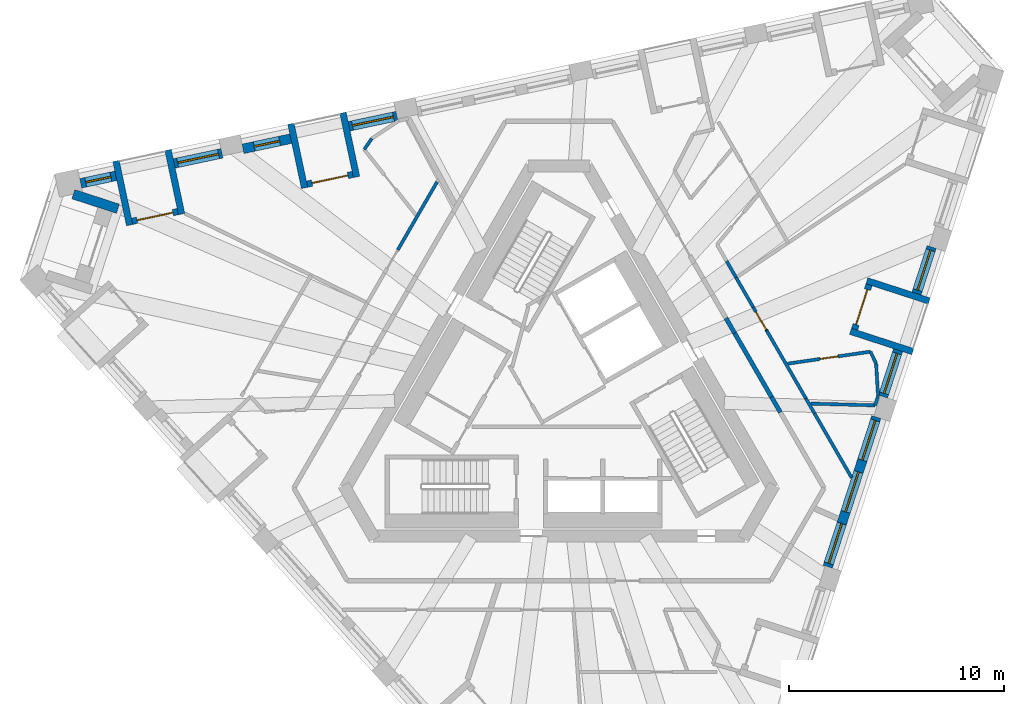
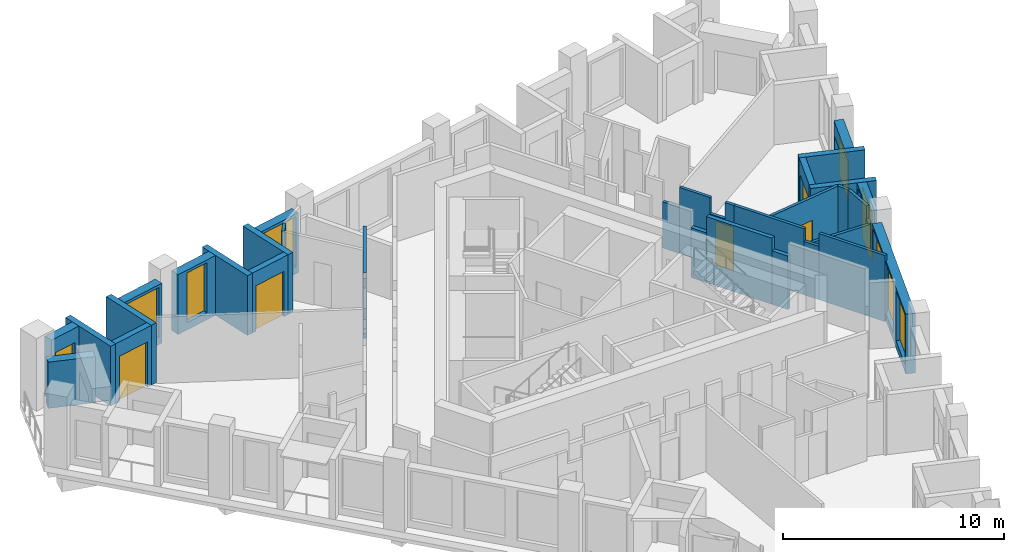
# One storey, part 6 of 12: 33 walls, 9 windows, 5 doors, 14 openings.
"""IFC4 building model written with IfcOpenShell, lengths in metres."""

import ifcopenshell
import ifcopenshell.guid

model = None  # the IFC model being written
_history = None  # IfcOwnerHistory: only IFC2X3 demands one
_inside = {}  # id of a spatial element -> (the spatial element, [elements in it])
_under = {}  # id of a project, library or spatial element -> (it, [spatial elements below it])
_declared = {}  # id of a project -> (the project, [libraries it declares])
_typed = {}  # id of a type object -> (the type object, [elements of that type])
_made_of = {}  # id of a material, layer set ... -> (it, [elements and type objects made of it])


def new_model(schema):
    """Start an empty IFC model of exactly this schema.

    Asked for "IFC4X3", IfcOpenShell would pick the latest addendum, in which some entities
    have other attributes; the version numbers below select the first issue.
    IFC2X3 requires an IfcOwnerHistory on every rooted entity: one is made here for all.
    """
    global model, _history
    if schema == "IFC4X3":
        model = ifcopenshell.file(schema_version=(4, 3, 0, 0))
    else:
        model = ifcopenshell.file(schema=schema)
    _inside.clear()
    _under.clear()
    _declared.clear()
    _typed.clear()
    _made_of.clear()
    _history = None
    if model.schema == "IFC2X3":
        org = make("IfcOrganization", Name="unknown")
        user = make(
            "IfcPersonAndOrganization",
            ThePerson=make("IfcPerson", FamilyName="unknown"),
            TheOrganization=org,
        )
        app = make(
            "IfcApplication",
            ApplicationDeveloper=org,
            Version="unknown",
            ApplicationFullName="unknown",
            ApplicationIdentifier="unknown",
        )
        _history = make(
            "IfcOwnerHistory",
            OwningUser=user,
            OwningApplication=app,
            ChangeAction="ADDED",
            CreationDate=0,
        )
    return model


def make(cls, **values):
    """One entity of the class cls with the attributes given. An attribute that is None is left unset."""
    return model.create_entity(
        cls, **{name: value for name, value in values.items() if value is not None}
    )


def rooted(cls, **values):
    """An entity with a GlobalId (a new one), such as an element, a storey or a relation."""
    return make(cls, GlobalId=ifcopenshell.guid.new(), OwnerHistory=_history, **values)


def si_unit(unit_type, name, prefix=None):
    """IfcSIUnit, for example si_unit("LENGTHUNIT", "METRE", prefix="MILLI")."""
    return make("IfcSIUnit", UnitType=unit_type, Prefix=prefix, Name=name)


def assignment(units):
    """IfcUnitAssignment: the units of a project."""
    return None if units is None else make("IfcUnitAssignment", Units=units)


def point(xyz):
    """IfcCartesianPoint."""
    return None if xyz is None else make("IfcCartesianPoint", Coordinates=xyz)


def direction(xyz):
    """IfcDirection."""
    return None if xyz is None else make("IfcDirection", DirectionRatios=xyz)


def frame(location, z_axis=None, x_axis=None):
    """IfcAxis2Placement3D, a coordinate frame: its origin and axes. An axis left out is left unset."""
    return make(
        "IfcAxis2Placement3D",
        Location=point(location),
        Axis=direction(z_axis),
        RefDirection=direction(x_axis),
    )


def frame_2d(location, x_axis=None):
    """IfcAxis2Placement2D, a coordinate frame in the plane: its origin and x axis."""
    return make(
        "IfcAxis2Placement2D", Location=point(location), RefDirection=direction(x_axis)
    )


def origin():
    """The frame at (0, 0, 0) with its axes left unset."""
    return frame((0.0, 0.0, 0.0))


def place(relative_to, where):
    """IfcLocalPlacement: puts the frame where relative to a parent placement (None: the world)."""
    return make(
        "IfcLocalPlacement", PlacementRelTo=relative_to, RelativePlacement=where
    )


def context(
    kind, dimensions, precision=None, world=None, true_north=None, identifier=None
):
    """IfcGeometricRepresentationContext, for example the 3D "Model" context."""
    return make(
        "IfcGeometricRepresentationContext",
        ContextIdentifier=identifier,
        ContextType=kind,
        CoordinateSpaceDimension=dimensions,
        Precision=precision,
        WorldCoordinateSystem=world,
        TrueNorth=true_north,
    )


def subcontext(parent, identifier, kind, view, scale=None):
    """IfcGeometricRepresentationSubContext, for example "Body" below "Model"."""
    return make(
        "IfcGeometricRepresentationSubContext",
        ContextIdentifier=identifier,
        ContextType=kind,
        ParentContext=parent,
        TargetScale=scale,
        TargetView=view,
    )


def project(units=None, contexts=None):
    """IfcProject with its units and contexts."""
    return rooted(
        "IfcProject",
        Name="project",
        RepresentationContexts=contexts,
        UnitsInContext=assignment(units),
    )


def spatial(cls, under=None, at=None, **own):
    """A site, building, storey or space (cls), placed at a placement, below another one or the project."""
    s = rooted(cls, ObjectPlacement=at, **own)
    if under is not None:
        _under.setdefault(under.id(), (under, []))[1].append(s)
    return s


def polyline(points):
    """IfcPolyline through the points."""
    return make("IfcPolyline", Points=[point(p) for p in points])


def profile(cls, at=None, kind="AREA", **sizes):
    """A parametric profile (cls). Its sizes go by their IFC names, for example OverallWidth=200.0."""
    return make(cls, ProfileType=kind, Position=at, **sizes)


def rectangle(**sizes):
    """IfcRectangleProfileDef."""
    return profile("IfcRectangleProfileDef", **sizes)


def outline(outer, holes=None, kind="AREA"):
    """IfcArbitraryClosedProfileDef: a profile drawn as a closed curve; with holes, ...WithVoids."""
    if holes is None:
        return make("IfcArbitraryClosedProfileDef", ProfileType=kind, OuterCurve=outer)
    return make(
        "IfcArbitraryProfileDefWithVoids",
        ProfileType=kind,
        OuterCurve=outer,
        InnerCurves=holes,
    )


def extrude(swept, where, along, depth):
    """IfcExtrudedAreaSolid: the profile swept, set in the frame where, extruded along a direction by depth."""
    return make(
        "IfcExtrudedAreaSolid",
        SweptArea=swept,
        Position=where,
        ExtrudedDirection=direction(along),
        Depth=depth,
    )


def shape(context_of_items, identifier, shape_type, items):
    """IfcShapeRepresentation: the items that make up one representation, for example the "Body"."""
    return make(
        "IfcShapeRepresentation",
        ContextOfItems=context_of_items,
        RepresentationIdentifier=identifier,
        RepresentationType=shape_type,
        Items=items,
    )


def material(Name=None, Category=None):
    """IfcMaterial."""
    return make("IfcMaterial", Name=Name, Category=Category)


def layer(
    of_material, thickness, ventilated=None, Name=None, Category=None, Priority=None
):
    """IfcMaterialLayer: one layer of a wall or slab, of a material (None: an air gap)."""
    return make(
        "IfcMaterialLayer",
        Material=of_material,
        LayerThickness=thickness,
        IsVentilated=ventilated,
        Name=Name,
        Category=Category,
        Priority=Priority,
    )


def layer_set(layers, Name=None):
    """IfcMaterialLayerSet."""
    return make("IfcMaterialLayerSet", MaterialLayers=layers, LayerSetName=Name)


def made_of(thing, what):
    """Note that an element or type object is made of a material, layer set ...; save() writes the relation."""
    if what is not None:
        _made_of.setdefault(what.id(), (what, []))[1].append(thing)
    return thing


def type_object(cls, material=None, **own):
    """A type object (cls), such as IfcWallType, which elements share."""
    return made_of(rooted(cls, **own), material)


def element(
    cls,
    number,
    at=None,
    inside=None,
    cuts=None,
    type_object=None,
    material=None,
    context=None,
    identifier="Body",
    shape_type=None,
    held_by="IfcProductDefinitionShape",
    body=None,
    shapes=None,
    **own,
):
    """One element of the class cls, such as IfcWall. Its Tag is "e" and its number.

    at: its placement. inside: the storey or other place that contains it. cuts: it is an
    opening in that element (IfcRelVoidsElement). A single representation is given by context,
    identifier, shape_type and body (its items); several are given by shapes. held_by: the class
    of the entity that holds the representations. save() writes the other relations.
    """
    e = rooted(cls, Tag="e%d" % number, ObjectPlacement=at, **own)
    if body is not None:
        shapes = [shape(context, identifier, shape_type, body)]
    if shapes is not None:
        e.Representation = make(held_by, Representations=shapes)
    if inside is not None:
        _inside.setdefault(inside.id(), (inside, []))[1].append(e)
    if cuts is not None:
        rooted(
            "IfcRelVoidsElement", RelatingBuildingElement=cuts, RelatedOpeningElement=e
        )
    if type_object is not None:
        _typed.setdefault(type_object.id(), (type_object, []))[1].append(e)
    return made_of(e, material)


def fill(opening, filler):
    """IfcRelFillsElement: the door or window that sits in an opening."""
    return rooted(
        "IfcRelFillsElement",
        RelatingOpeningElement=opening,
        RelatedBuildingElement=filler,
    )


def aggregate(whole, parts):
    """IfcRelAggregates: a whole, such as a stair, and the parts it consists of."""
    return rooted("IfcRelAggregates", RelatingObject=whole, RelatedObjects=parts)


def save(model, path):
    """Write the relations noted so far, then the file.

    IfcRelAggregates (storeys below a building ...), IfcRelContainedInSpatialStructure (elements
    in a storey), IfcRelDefinesByType, IfcRelAssociatesMaterial and IfcRelDeclares: one each for
    every whole, place, type object, material and project.
    """
    for whole, parts in _under.values():
        aggregate(whole, parts)
    for where, things in _inside.values():
        rooted(
            "IfcRelContainedInSpatialStructure",
            RelatedElements=things,
            RelatingStructure=where,
        )
    for kind, things in _typed.values():
        rooted("IfcRelDefinesByType", RelatedObjects=things, RelatingType=kind)
    for what, things in _made_of.values():
        rooted("IfcRelAssociatesMaterial", RelatedObjects=things, RelatingMaterial=what)
    for by, libraries in _declared.values():
        rooted("IfcRelDeclares", RelatingContext=by, RelatedDefinitions=libraries)
    model.write(path)


model = new_model("IFC4")

# Units and contexts
model_context = context("Model", 3, precision=1e-05, world=origin(), true_north=direction((0.0, 1.0)))
body_context = subcontext(model_context, "Body", "Model", "MODEL_VIEW")
ifc_project = project(units=[si_unit("LENGTHUNIT", "METRE"), si_unit("AREAUNIT", "SQUARE_METRE"), si_unit("VOLUMEUNIT", "CUBIC_METRE"), si_unit("PLANEANGLEUNIT", "RADIAN"), si_unit("MASSUNIT", "GRAM", prefix="KILO")], contexts=[model_context])

# Site, building, storey
site_placement = place(None, origin())
site = spatial("IfcSite", under=ifc_project, at=site_placement, CompositionType="ELEMENT")
building_placement = place(site_placement, origin())
building = spatial("IfcBuilding", under=site, at=building_placement, Name="Tramontana Tower", CompositionType="ELEMENT")
storey_placement = place(building_placement, frame((0.0, 0.0, 340.39990234375)))
storey = spatial("IfcBuildingStorey", under=building, at=storey_placement, Name="L78", CompositionType="ELEMENT", Elevation=340.39990234375)

# Walls
ifc_material_1 = material(Name="Blockwork", Category="masonry")
ifc_layer_1 = layer(ifc_material_1, 0.199951171875)
ifc_layer_set_1 = layer_set([ifc_layer_1], Name="ENTRY WALL 200")
wall_type_1 = type_object("IfcWallType", Name="ENTRY WALL 200", PredefinedType="SOLIDWALL", material=ifc_layer_set_1)
wall_1_placement = place(storey_placement, frame((7.765380859375, 3.64990234375, 0.0), z_axis=(0.0, 0.0, 1.0), x_axis=(0.500141487433, -0.865943700565, 0.0)))
element("IfcWall", 1, at=wall_1_placement, inside=storey, type_object=wall_type_1, Name="Wall v81-ew5-7", PredefinedType="SOLIDWALL", context=body_context, shape_type="SweptSolid", body=[
    extrude(rectangle(XDim=0.806884765625, YDim=0.199951171875, at=frame_2d((0.4033203125, 0.0))), origin(), (0.0, 0.0, 1.0), 2.75),
])
wall_2_placement = place(storey_placement, frame((8.1689453125, 2.951171875, 0.0), z_axis=(0.0, 0.0, 1.0), x_axis=(0.499959115548, -0.866049007147, 0.0)))
element("IfcWall", 2, at=wall_2_placement, inside=storey, type_object=wall_type_1, Name="Wall v81-ew5-8", PredefinedType="SOLIDWALL", context=body_context, shape_type="SweptSolid", body=[
    extrude(rectangle(XDim=3.423095703125, YDim=0.199951171875, at=frame_2d((1.71142578125, 0.0))), origin(), (0.0, 0.0, 1.0), 3.650146484375),
])
wall_3_placement = place(storey_placement, frame((9.88037109375, -0.013427734375, 0.0), z_axis=(0.0, 0.0, 1.0), x_axis=(0.499952654668, -0.866052736899, 0.0)))
element("IfcWall", 3, at=wall_3_placement, inside=storey, type_object=wall_type_1, Name="Wall v81-ew5-9", PredefinedType="SOLIDWALL", context=body_context, shape_type="SweptSolid", body=[
    extrude(rectangle(XDim=0.826171875, YDim=0.199951171875, at=frame_2d((0.4130859375, 0.0))), origin(), (0.0, 0.0, 1.0), 2.9501953125),
])

# Wall, openings, windows
ifc_material_2 = material(Name="Precast concrete 60 MPa", Category="concrete")
ifc_layer_2 = layer(ifc_material_2, 0.449951171875)
ifc_layer_set_2 = layer_set([ifc_layer_2], Name="Precast concrete 60 MPa, 450 mm")
wall_type_2 = type_object("IfcWallType", Name="EW1 Stone-faced precast wall 450", PredefinedType="SOLIDWALL", material=ifc_layer_set_2)
wall_4_placement = place(storey_placement, frame((12.493896484375, -7.904541015625, 0.0), z_axis=(0.0, 0.0, 1.0), x_axis=(0.309008326872, 0.951059332494, 0.0)))
wall_4 = element("IfcWall", 4, at=wall_4_placement, inside=storey, type_object=wall_type_2, Name="External wall L78 face 1 bay 3", PredefinedType="SOLIDWALL", context=body_context, shape_type="SweptSolid", body=[
    extrude(rectangle(XDim=7.313720703125, YDim=0.449951171875, at=frame_2d((3.65673828125, 0.0))), origin(), (0.0, 0.0, 1.0), 3.300048828125),
])
opening_1_placement = place(wall_4_placement, frame((0.16064453125, 0.0, 0.39990234375)))
opening_1 = element("IfcOpeningElement", 5, at=opening_1_placement, cuts=wall_4, Name="Opening M3", PredefinedType="OPENING", context=body_context, shape_type="SweptSolid", body=[
    extrude(rectangle(XDim=1.949951171875, YDim=2.75, at=frame_2d((0.97509765625, 1.375))), frame((0.0, 0.23486328125, 0.0), z_axis=(0.0, -1.0, 0.0), x_axis=(1.0, 0.0, 0.0)), (0.0, 0.0, 1.0), 0.469970703125),
])
opening_2_placement = place(wall_4_placement, frame((2.681884765625, 0.0, 0.39990234375)))
opening_2 = element("IfcOpeningElement", 6, at=opening_2_placement, cuts=wall_4, Name="Opening M3", PredefinedType="OPENING", context=body_context, shape_type="SweptSolid", body=[
    extrude(rectangle(XDim=1.949951171875, YDim=2.75, at=frame_2d((0.97509765625, 1.375))), frame((0.0, 0.23486328125, 0.0), z_axis=(0.0, -1.0, 0.0), x_axis=(1.0, 0.0, 0.0)), (0.0, 0.0, 1.0), 0.469970703125),
])
opening_3_placement = place(wall_4_placement, frame((5.203125, 0.0, 0.39990234375)))
opening_3 = element("IfcOpeningElement", 7, at=opening_3_placement, cuts=wall_4, Name="Opening M3", PredefinedType="OPENING", context=body_context, shape_type="SweptSolid", body=[
    extrude(rectangle(XDim=1.949951171875, YDim=2.75, at=frame_2d((0.97509765625, 1.375))), frame((0.0, 0.23486328125, 0.0), z_axis=(0.0, -1.0, 0.0), x_axis=(1.0, 0.0, 0.0)), (0.0, 0.0, 1.0), 0.469970703125),
])
ifc_material_3 = material(Name="Aluminum frame, double glazing unit", Category="aluminium")
window_type_1 = type_object("IfcWindowType", Name="M3 Window 1.95 x 2.75", PartitioningType="SINGLE_PANEL", PredefinedType="WINDOW", material=ifc_material_3)
window_1_placement = place(opening_1_placement, origin())
window_1 = element("IfcWindow", 8, at=window_1_placement, inside=storey, type_object=window_type_1, Name="Window M3 L78 face 1 module 7", OverallHeight=2.75, OverallWidth=1.949951171875, PartitioningType="SINGLE_PANEL", PredefinedType="WINDOW", context=body_context, shape_type="SweptSolid", body=[
    extrude(rectangle(XDim=1.949951171875, YDim=2.75, at=frame_2d((0.97509765625, 1.375))), frame((0.0, 0.030029296875, 0.0), z_axis=(0.0, -1.0, 0.0), x_axis=(1.0, 0.0, 0.0)), (0.0, 0.0, 1.0), 0.06005859375),
])
fill(opening_1, window_1)
window_2_placement = place(opening_2_placement, origin())
window_2 = element("IfcWindow", 9, at=window_2_placement, inside=storey, type_object=window_type_1, Name="Window M3 L78 face 1 module 8", OverallHeight=2.75, OverallWidth=1.949951171875, PartitioningType="SINGLE_PANEL", PredefinedType="WINDOW", context=body_context, shape_type="SweptSolid", body=[
    extrude(rectangle(XDim=1.949951171875, YDim=2.75, at=frame_2d((0.97509765625, 1.375))), frame((0.0, 0.030029296875, 0.0), z_axis=(0.0, -1.0, 0.0), x_axis=(1.0, 0.0, 0.0)), (0.0, 0.0, 1.0), 0.06005859375),
])
fill(opening_2, window_2)
window_3_placement = place(opening_3_placement, origin())
window_3 = element("IfcWindow", 10, at=window_3_placement, inside=storey, type_object=window_type_1, Name="Window M3 L78 face 1 module 9", OverallHeight=2.75, OverallWidth=1.949951171875, PartitioningType="SINGLE_PANEL", PredefinedType="WINDOW", context=body_context, shape_type="SweptSolid", body=[
    extrude(rectangle(XDim=1.949951171875, YDim=2.75, at=frame_2d((0.97509765625, 1.375))), frame((0.0, 0.030029296875, 0.0), z_axis=(0.0, -1.0, 0.0), x_axis=(1.0, 0.0, 0.0)), (0.0, 0.0, 1.0), 0.06005859375),
])
fill(opening_3, window_3)

# Wall, opening, window
wall_5_placement = place(storey_placement, frame((15.06298828125, 0.00244140625, 0.0), z_axis=(0.0, 0.0, 1.0), x_axis=(0.309059334219, 0.951042758204, 0.0)))
wall_5 = element("IfcWall", 11, at=wall_5_placement, inside=storey, type_object=wall_type_2, Name="External wall L78 face 1 bay 4", PredefinedType="SOLIDWALL", context=body_context, shape_type="SweptSolid", body=[
    extrude(rectangle(XDim=2.27099609375, YDim=0.449951171875, at=frame_2d((1.135498046875, 0.0))), origin(), (0.0, 0.0, 1.0), 3.300048828125),
])
opening_4_placement = place(wall_5_placement, frame((0.16064453125, 0.0, 0.39990234375)))
opening_4 = element("IfcOpeningElement", 12, at=opening_4_placement, cuts=wall_5, Name="Opening M3", PredefinedType="OPENING", context=body_context, shape_type="SweptSolid", body=[
    extrude(rectangle(XDim=1.949951171875, YDim=2.75, at=frame_2d((0.97509765625, 1.375))), frame((0.0, 0.23486328125, 0.0), z_axis=(0.0, -1.0, 0.0), x_axis=(1.0, 0.0, 0.0)), (0.0, 0.0, 1.0), 0.469970703125),
])
window_4_placement = place(opening_4_placement, origin())
window_4 = element("IfcWindow", 13, at=window_4_placement, inside=storey, type_object=window_type_1, Name="Window M3 L78 face 1 module 10", OverallHeight=2.75, OverallWidth=1.949951171875, PartitioningType="SINGLE_PANEL", PredefinedType="WINDOW", context=body_context, shape_type="SweptSolid", body=[
    extrude(rectangle(XDim=1.949951171875, YDim=2.75, at=frame_2d((0.97509765625, 1.375))), frame((0.0, 0.030029296875, 0.0), z_axis=(0.0, -1.0, 0.0), x_axis=(1.0, 0.0, 0.0)), (0.0, 0.0, 1.0), 0.06005859375),
])
fill(opening_4, window_4)

wall_6_placement = place(storey_placement, frame((16.62109375, 4.798095703125, 0.0), z_axis=(0.0, 0.0, 1.0), x_axis=(0.309027740273, 0.951053024674, 0.0)))
wall_6 = element("IfcWall", 14, at=wall_6_placement, inside=storey, type_object=wall_type_2, Name="External wall L78 face 1 bay 4", PredefinedType="SOLIDWALL", context=body_context, shape_type="SweptSolid", body=[
    extrude(rectangle(XDim=2.271240234375, YDim=0.449951171875, at=frame_2d((1.1357421875, 0.0))), origin(), (0.0, 0.0, 1.0), 3.300048828125),
])
opening_5_placement = place(wall_6_placement, frame((0.16064453125, 0.0, 0.39990234375)))
opening_5 = element("IfcOpeningElement", 15, at=opening_5_placement, cuts=wall_6, Name="Opening M3L", PredefinedType="OPENING", context=body_context, shape_type="SweptSolid", body=[
    extrude(rectangle(XDim=1.949951171875, YDim=2.10009765625, at=frame_2d((0.97509765625, 1.050048828125))), frame((0.0, 0.23486328125, 0.0), z_axis=(0.0, -1.0, 0.0), x_axis=(1.0, 0.0, 0.0)), (0.0, 0.0, 1.0), 0.469970703125),
])
ifc_material_4 = material(Name="Aluminum frame, double glazing unit", Category="aluminium")
window_type_2 = type_object("IfcWindowType", Name="M3L Window 1.95 x 2.1", PartitioningType="SINGLE_PANEL", PredefinedType="WINDOW", material=ifc_material_4)
window_5_placement = place(opening_5_placement, origin())
window_5 = element("IfcWindow", 16, at=window_5_placement, inside=storey, type_object=window_type_2, Name="Window M3L L78 face 1 module 12", OverallHeight=2.10009765625, OverallWidth=1.949951171875, PartitioningType="SINGLE_PANEL", PredefinedType="WINDOW", context=body_context, shape_type="SweptSolid", body=[
    extrude(rectangle(XDim=1.949951171875, YDim=2.10009765625, at=frame_2d((0.97509765625, 1.050048828125))), frame((0.0, 0.030029296875, 0.0), z_axis=(0.0, -1.0, 0.0), x_axis=(1.0, 0.0, 0.0)), (0.0, 0.0, 1.0), 0.06005859375),
])
fill(opening_5, window_5)

wall_7_placement = place(storey_placement, frame((-7.533447265625, 13.043701171875, 0.0), z_axis=(0.0, 0.0, 1.0), x_axis=(-0.978153386925, -0.207884467067, 0.0)))
wall_7 = element("IfcWall", 17, at=wall_7_placement, inside=storey, type_object=wall_type_2, Name="External wall L78 face 2 bay 4", PredefinedType="SOLIDWALL", context=body_context, shape_type="SweptSolid", body=[
    extrude(rectangle(XDim=2.271240234375, YDim=0.449951171875, at=frame_2d((1.1357421875, 0.0))), origin(), (0.0, 0.0, 1.0), 3.300048828125),
])
opening_6_placement = place(wall_7_placement, frame((0.16064453125, 0.0, 0.39990234375)))
opening_6 = element("IfcOpeningElement", 18, at=opening_6_placement, cuts=wall_7, Name="Opening M3", PredefinedType="OPENING", context=body_context, shape_type="SweptSolid", body=[
    extrude(rectangle(XDim=1.949951171875, YDim=2.75, at=frame_2d((0.97509765625, 1.375))), frame((0.0, 0.23486328125, 0.0), z_axis=(0.0, -1.0, 0.0), x_axis=(1.0, 0.0, 0.0)), (0.0, 0.0, 1.0), 0.469970703125),
])
window_6_placement = place(opening_6_placement, origin())
window_6 = element("IfcWindow", 19, at=window_6_placement, inside=storey, type_object=window_type_1, Name="Window M3 L78 face 2 module 10", OverallHeight=2.75, OverallWidth=1.949951171875, PartitioningType="SINGLE_PANEL", PredefinedType="WINDOW", context=body_context, shape_type="SweptSolid", body=[
    extrude(rectangle(XDim=1.949951171875, YDim=2.75, at=frame_2d((0.97509765625, 1.375))), frame((0.0, 0.030029296875, 0.0), z_axis=(0.0, -1.0, 0.0), x_axis=(1.0, 0.0, 0.0)), (0.0, 0.0, 1.0), 0.06005859375),
])
fill(opening_6, window_6)

wall_8_placement = place(storey_placement, frame((-12.4658203125, 11.995361328125, 0.0), z_axis=(0.0, 0.0, 1.0), x_axis=(-0.978153386925, -0.207884467067, 0.0)))
wall_8 = element("IfcWall", 20, at=wall_8_placement, inside=storey, type_object=wall_type_2, Name="External wall L78 face 2 bay 4", PredefinedType="SOLIDWALL", context=body_context, shape_type="SweptSolid", body=[
    extrude(rectangle(XDim=2.271240234375, YDim=0.449951171875, at=frame_2d((1.1357421875, 0.0))), origin(), (0.0, 0.0, 1.0), 3.300048828125),
])
opening_7_placement = place(wall_8_placement, frame((0.53564453125, 0.0, 0.39990234375)))
opening_7 = element("IfcOpeningElement", 21, at=opening_7_placement, cuts=wall_8, Name="Opening N3", PredefinedType="OPENING", context=body_context, shape_type="SweptSolid", body=[
    extrude(rectangle(XDim=1.199951171875, YDim=2.75, at=frame_2d((0.60009765625, 1.375))), frame((0.0, 0.23486328125, 0.0), z_axis=(0.0, -1.0, 0.0), x_axis=(1.0, 0.0, 0.0)), (0.0, 0.0, 1.0), 0.469970703125),
])
ifc_material_5 = material(Name="Aluminum frame, double glazing unit", Category="aluminium")
window_type_3 = type_object("IfcWindowType", Name="N3 Window 1.2 x 2.75", PartitioningType="SINGLE_PANEL", PredefinedType="WINDOW", material=ifc_material_5)
window_7_placement = place(opening_7_placement, origin())
window_7 = element("IfcWindow", 22, at=window_7_placement, inside=storey, type_object=window_type_3, Name="Window N3 L78 face 2 module 12", OverallHeight=2.75, OverallWidth=1.199951171875, PartitioningType="SINGLE_PANEL", PredefinedType="WINDOW", context=body_context, shape_type="SweptSolid", body=[
    extrude(rectangle(XDim=1.199951171875, YDim=2.75, at=frame_2d((0.60009765625, 1.375))), frame((0.0, 0.030029296875, 0.0), z_axis=(0.0, -1.0, 0.0), x_axis=(1.0, 0.0, 0.0)), (0.0, 0.0, 1.0), 0.06005859375),
])
fill(opening_7, window_7)

wall_9_placement = place(storey_placement, frame((-15.665771484375, 11.315185546875, 0.0), z_axis=(0.0, 0.0, 1.0), x_axis=(-0.978148740936, -0.207906326516, 0.0)))
wall_9 = element("IfcWall", 23, at=wall_9_placement, inside=storey, type_object=wall_type_2, Name="External wall L78 face 2 bay 5", PredefinedType="SOLIDWALL", context=body_context, shape_type="SweptSolid", body=[
    extrude(rectangle(XDim=2.27099609375, YDim=0.449951171875, at=frame_2d((1.135498046875, 0.0))), origin(), (0.0, 0.0, 1.0), 3.300048828125),
])
opening_8_placement = place(wall_9_placement, frame((0.16064453125, 0.0, 0.39990234375)))
opening_8 = element("IfcOpeningElement", 24, at=opening_8_placement, cuts=wall_9, Name="Opening M3", PredefinedType="OPENING", context=body_context, shape_type="SweptSolid", body=[
    extrude(rectangle(XDim=1.949951171875, YDim=2.75, at=frame_2d((0.97509765625, 1.375))), frame((0.0, 0.23486328125, 0.0), z_axis=(0.0, -1.0, 0.0), x_axis=(1.0, 0.0, 0.0)), (0.0, 0.0, 1.0), 0.469970703125),
])
window_8_placement = place(opening_8_placement, origin())
window_8 = element("IfcWindow", 25, at=window_8_placement, inside=storey, type_object=window_type_1, Name="Window M3 L78 face 2 module 13", OverallHeight=2.75, OverallWidth=1.949951171875, PartitioningType="SINGLE_PANEL", PredefinedType="WINDOW", context=body_context, shape_type="SweptSolid", body=[
    extrude(rectangle(XDim=1.949951171875, YDim=2.75, at=frame_2d((0.97509765625, 1.375))), frame((0.0, 0.030029296875, 0.0), z_axis=(0.0, -1.0, 0.0), x_axis=(1.0, 0.0, 0.0)), (0.0, 0.0, 1.0), 0.06005859375),
])
fill(opening_8, window_8)

wall_10_placement = place(storey_placement, frame((-20.59814453125, 10.266845703125, 0.0), z_axis=(0.0, 0.0, 1.0), x_axis=(-0.978126168783, -0.208012494676, 0.0)))
wall_10 = element("IfcWall", 26, at=wall_10_placement, inside=storey, type_object=wall_type_2, Name="External wall L78 face 2 bay 5", PredefinedType="SOLIDWALL", context=body_context, shape_type="SweptSolid", body=[
    extrude(rectangle(XDim=1.67138671875, YDim=0.449951171875, at=frame_2d((0.835693359375, 0.0))), origin(), (0.0, 0.0, 1.0), 3.300048828125),
])
opening_9_placement = place(wall_10_placement, frame((0.235595703125, 0.0, 0.39990234375)))
opening_9 = element("IfcOpeningElement", 27, at=opening_9_placement, cuts=wall_10, Name="Opening N3L", PredefinedType="OPENING", context=body_context, shape_type="SweptSolid", body=[
    extrude(rectangle(XDim=1.199951171875, YDim=2.10009765625, at=frame_2d((0.60009765625, 1.050048828125))), frame((0.0, 0.23486328125, 0.0), z_axis=(0.0, -1.0, 0.0), x_axis=(1.0, 0.0, 0.0)), (0.0, 0.0, 1.0), 0.469970703125),
])
ifc_material_6 = material(Name="Aluminum frame, double glazing unit", Category="aluminium")
window_type_4 = type_object("IfcWindowType", Name="N3L Window 1.2 x 2.1", PartitioningType="SINGLE_PANEL", PredefinedType="WINDOW", material=ifc_material_6)
window_9_placement = place(opening_9_placement, origin())
window_9 = element("IfcWindow", 28, at=window_9_placement, inside=storey, type_object=window_type_4, Name="Window N3L L78 face 2 module 15", OverallHeight=2.10009765625, OverallWidth=1.199951171875, PartitioningType="SINGLE_PANEL", PredefinedType="WINDOW", context=body_context, shape_type="SweptSolid", body=[
    extrude(rectangle(XDim=1.199951171875, YDim=2.10009765625, at=frame_2d((0.60009765625, 1.050048828125))), frame((0.0, 0.030029296875, 0.0), z_axis=(0.0, -1.0, 0.0), x_axis=(1.0, 0.0, 0.0)), (0.0, 0.0, 1.0), 0.06005859375),
])
fill(opening_9, window_9)

# Wall
wall_11_placement = place(storey_placement, frame((-22.57568359375, 9.411865234375, 0.0), z_axis=(0.0, 0.0, 1.0), x_axis=(0.951064526973, -0.308992338955, 0.0)))
element("IfcWall", 29, at=wall_11_placement, inside=storey, type_object=wall_type_2, Name="Corner loggia side wall L78 K80r", PredefinedType="SOLIDWALL", context=body_context, shape_type="SweptSolid", body=[
    extrude(rectangle(XDim=2.17919921875, YDim=0.449951171875, at=frame_2d((1.089599609375, 0.0))), origin(), (0.0, 0.0, 1.0), 2.550048828125),
])

# Wall, opening, door
ifc_material_7 = material(Name="Precast concrete 60 MPa", Category="concrete")
ifc_layer_3 = layer(ifc_material_7, 0.300048828125)
ifc_layer_set_3 = layer_set([ifc_layer_3], Name="LW1 Stone-faced loggia wall 300")
wall_type_3 = type_object("IfcWallType", Name="LW1 Stone-faced loggia wall 300", PredefinedType="SOLIDWALL", material=ifc_layer_set_3)
wall_12_placement = place(storey_placement, frame((13.741455078125, 3.13525390625, 0.0), z_axis=(0.0, 0.0, 1.0), x_axis=(0.308966581759, 0.95107289487, 0.0)))
wall_12 = element("IfcWall", 30, at=wall_12_placement, inside=storey, type_object=wall_type_3, Name="Loggia wall L78 G8S1.10", PredefinedType="SOLIDWALL", context=body_context, shape_type="SweptSolid", body=[
    extrude(rectangle(XDim=2.17138671875, YDim=0.300048828125, at=frame_2d((1.085693359375, 0.0))), origin(), (0.0, 0.0, 1.0), 3.300048828125),
])
opening_10_placement = place(wall_12_placement, frame((0.235595703125, 0.0, 0.0)))
opening_10 = element("IfcOpeningElement", 31, at=opening_10_placement, cuts=wall_12, Name="Opening BD-8S1-10", PredefinedType="OPENING", context=body_context, shape_type="SweptSolid", body=[
    extrude(rectangle(XDim=1.699951171875, YDim=2.5, at=frame_2d((0.85009765625, 1.25))), frame((0.0, 0.159912109375, 0.0), z_axis=(0.0, -1.0, 0.0), x_axis=(1.0, 0.0, 0.0)), (0.0, 0.0, 1.0), 0.320068359375),
])
ifc_material_8 = material(Name="Aluminum frame, double glazing unit", Category="aluminium")
door_type_1 = type_object("IfcDoorType", Name="BD3 Sliding door 1.7 x 2.5", OperationType="SLIDING_TO_LEFT", PredefinedType="DOOR", material=ifc_material_8)
door_1_placement = place(opening_10_placement, origin())
door_1 = element("IfcDoor", 32, at=door_1_placement, inside=storey, type_object=door_type_1, Name="Loggia door L78 G8S1.10", OperationType="SLIDING_TO_LEFT", OverallHeight=2.5, OverallWidth=1.699951171875, PredefinedType="DOOR", context=body_context, shape_type="SweptSolid", body=[
    extrude(rectangle(XDim=1.699951171875, YDim=2.5, at=frame_2d((0.85009765625, 1.25))), frame((0.0, 0.02490234375, 0.0), z_axis=(0.0, -1.0, 0.0), x_axis=(1.0, 0.0, 0.0)), (0.0, 0.0, 1.0), 0.050048828125),
])
fill(opening_10, door_1)

# Walls
for number, where, z_axis, x_axis, name in (
    (33, (16.453125, 2.096435546875, 0.0), (0.0, 0.0, 1.0), (-0.951041715693, 0.309062542235, 0.0), "Loggia return L78 G8S1.10a"),
    (34, (17.216796875, 4.44677734375, 0.0), (0.0, 0.0, 1.0), (-0.951041715693, 0.309062542235, 0.0), "Loggia return L78 G8S1.10b"),
):
    element("IfcWall", number, at=place(storey_placement, frame(where, z_axis=z_axis, x_axis=x_axis)), inside=storey, type_object=wall_type_3, Name=name, PredefinedType="SOLIDWALL", context=body_context, shape_type="SweptSolid", body=[
        extrude(rectangle(XDim=3.050048828125, YDim=0.300048828125, at=frame_2d((1.52490234375, 0.0))), origin(), (0.0, 0.0, 1.0), 3.300048828125),
    ])

# Wall, opening, door
wall_13_placement = place(storey_placement, frame((-9.5859375, 10.332763671875, 0.0), z_axis=(0.0, 0.0, 1.0), x_axis=(-0.978148276005, -0.207908513891, 0.0)))
wall_13 = element("IfcWall", 35, at=wall_13_placement, inside=storey, type_object=wall_type_3, Name="Loggia wall L78 G8S2.10", PredefinedType="SOLIDWALL", context=body_context, shape_type="SweptSolid", body=[
    extrude(rectangle(XDim=2.171142578125, YDim=0.300048828125, at=frame_2d((1.08544921875, 0.0))), origin(), (0.0, 0.0, 1.0), 3.300048828125),
])
opening_11_placement = place(wall_13_placement, frame((0.235595703125, 0.0, 0.0)))
opening_11 = element("IfcOpeningElement", 36, at=opening_11_placement, cuts=wall_13, Name="Opening BD-8S2-10", PredefinedType="OPENING", context=body_context, shape_type="SweptSolid", body=[
    extrude(rectangle(XDim=1.699951171875, YDim=2.5, at=frame_2d((0.85009765625, 1.25))), frame((0.0, 0.159912109375, 0.0), z_axis=(0.0, -1.0, 0.0), x_axis=(1.0, 0.0, 0.0)), (0.0, 0.0, 1.0), 0.320068359375),
])
door_2_placement = place(opening_11_placement, origin())
door_2 = element("IfcDoor", 37, at=door_2_placement, inside=storey, type_object=door_type_1, Name="Loggia door L78 G8S2.10", OperationType="SLIDING_TO_LEFT", OverallHeight=2.5, OverallWidth=1.699951171875, PredefinedType="DOOR", context=body_context, shape_type="SweptSolid", body=[
    extrude(rectangle(XDim=1.699951171875, YDim=2.5, at=frame_2d((0.85009765625, 1.25))), frame((0.0, 0.02490234375, 0.0), z_axis=(0.0, -1.0, 0.0), x_axis=(1.0, 0.0, 0.0)), (0.0, 0.0, 1.0), 0.050048828125),
])
fill(opening_11, door_2)

# Walls
for number, where, z_axis, x_axis, name in (
    (38, (-10.042236328125, 13.20068359375, 0.0), (0.0, 0.0, 1.0), (0.207954487003, -0.978138503145, 0.0), "Loggia return L78 G8S2.10a"),
    (39, (-12.45947265625, 12.686767578125, 0.0), (0.0, 0.0, 1.0), (0.207877902534, -0.978154782045, 0.0), "Loggia return L78 G8S2.10b"),
):
    element("IfcWall", number, at=place(storey_placement, frame(where, z_axis=z_axis, x_axis=x_axis)), inside=storey, type_object=wall_type_3, Name=name, PredefinedType="SOLIDWALL", context=body_context, shape_type="SweptSolid", body=[
        extrude(rectangle(XDim=3.050048828125, YDim=0.300048828125, at=frame_2d((1.52490234375, 0.0))), origin(), (0.0, 0.0, 1.0), 3.300048828125),
    ])

# Wall, opening, door
wall_14_placement = place(storey_placement, frame((-17.71826171875, 8.604248046875, 0.0), z_axis=(0.0, 0.0, 1.0), x_axis=(-0.978148276005, -0.207908513891, 0.0)))
wall_14 = element("IfcWall", 40, at=wall_14_placement, inside=storey, type_object=wall_type_3, Name="Loggia wall L78 G8S2.13", PredefinedType="SOLIDWALL", context=body_context, shape_type="SweptSolid", body=[
    extrude(rectangle(XDim=2.171142578125, YDim=0.300048828125, at=frame_2d((1.08544921875, 0.0))), origin(), (0.0, 0.0, 1.0), 3.300048828125),
])
opening_12_placement = place(wall_14_placement, frame((0.235595703125, 0.0, 0.0)))
opening_12 = element("IfcOpeningElement", 41, at=opening_12_placement, cuts=wall_14, Name="Opening BD-8S2-13", PredefinedType="OPENING", context=body_context, shape_type="SweptSolid", body=[
    extrude(rectangle(XDim=1.699951171875, YDim=2.5, at=frame_2d((0.85009765625, 1.25))), frame((0.0, 0.159912109375, 0.0), z_axis=(0.0, -1.0, 0.0), x_axis=(1.0, 0.0, 0.0)), (0.0, 0.0, 1.0), 0.320068359375),
])
door_3_placement = place(opening_12_placement, origin())
door_3 = element("IfcDoor", 42, at=door_3_placement, inside=storey, type_object=door_type_1, Name="Loggia door L78 G8S2.13", OperationType="SLIDING_TO_LEFT", OverallHeight=2.5, OverallWidth=1.699951171875, PredefinedType="DOOR", context=body_context, shape_type="SweptSolid", body=[
    extrude(rectangle(XDim=1.699951171875, YDim=2.5, at=frame_2d((0.85009765625, 1.25))), frame((0.0, 0.02490234375, 0.0), z_axis=(0.0, -1.0, 0.0), x_axis=(1.0, 0.0, 0.0)), (0.0, 0.0, 1.0), 0.050048828125),
])
fill(opening_12, door_3)

# Walls
wall_15_placement = place(storey_placement, frame((-18.17431640625, 11.471923828125, 0.0), z_axis=(0.0, 0.0, 1.0), x_axis=(0.207894179953, -0.978151322619, 0.0)))
element("IfcWall", 43, at=wall_15_placement, inside=storey, type_object=wall_type_3, Name="Loggia return L78 G8S2.13a", PredefinedType="SOLIDWALL", context=body_context, shape_type="SweptSolid", body=[
    extrude(rectangle(XDim=3.0498046875, YDim=0.300048828125, at=frame_2d((1.52490234375, 0.0))), origin(), (0.0, 0.0, 1.0), 3.300048828125),
])
wall_16_placement = place(storey_placement, frame((-20.591552734375, 10.958251953125, 0.0), z_axis=(0.0, 0.0, 1.0), x_axis=(0.207877902534, -0.978154782045, 0.0)))
element("IfcWall", 44, at=wall_16_placement, inside=storey, type_object=wall_type_3, Name="Loggia return L78 G8S2.13b", PredefinedType="SOLIDWALL", context=body_context, shape_type="SweptSolid", body=[
    extrude(rectangle(XDim=3.050048828125, YDim=0.300048828125, at=frame_2d((1.52490234375, 0.0))), origin(), (0.0, 0.0, 1.0), 3.300048828125),
])
ifc_material_9 = material(Name="Gypsum board partition")
ifc_layer_4 = layer(ifc_material_9, 0.14990234375)
ifc_layer_set_4 = layer_set([ifc_layer_4], Name="PARTITION 150")
wall_type_4 = type_object("IfcWallType", Name="PARTITION 150", PredefinedType="PARTITIONING", material=ifc_layer_set_4)
wall_17_placement = place(storey_placement, frame((-7.490478515625, 6.826171875, 0.0), z_axis=(0.0, 0.0, 1.0), x_axis=(0.500041145768, 0.866001646961, 0.0)))
element("IfcWall", 45, at=wall_17_placement, inside=storey, type_object=wall_type_4, Name="Wall v81-pw07-7", PredefinedType="PARTITIONING", context=body_context, shape_type="SweptSolid", body=[
    extrude(rectangle(XDim=3.647216796875, YDim=0.14990234375, at=frame_2d((1.82373046875, 0.0))), origin(), (0.0, 0.0, 1.0), 3.650146484375),
])
wall_18_placement = place(storey_placement, frame((7.792236328125, 6.303466796875, 0.0), z_axis=(0.0, 0.0, 1.0), x_axis=(0.500074377092, -0.865982457891, 0.0)))
element("IfcWall", 46, at=wall_18_placement, inside=storey, type_object=wall_type_4, Name="Wall v81-pw24-1", PredefinedType="PARTITIONING", context=body_context, shape_type="SweptSolid", body=[
    extrude(rectangle(XDim=0.880615234375, YDim=0.14990234375, at=frame_2d((0.4404296875, 0.0))), origin(), (0.0, 0.0, 1.0), 2.550048828125),
])
wall_19_placement = place(storey_placement, frame((8.232666015625, 5.540771484375, 0.0), z_axis=(0.0, 0.0, 1.0), x_axis=(0.500009674092, -0.866019818373, 0.0)))
element("IfcWall", 47, at=wall_19_placement, inside=storey, type_object=wall_type_4, Name="Wall v81-pw24-2", PredefinedType="PARTITIONING", context=body_context, shape_type="SweptSolid", body=[
    extrude(rectangle(XDim=1.59423828125, YDim=0.14990234375, at=frame_2d((0.797119140625, 0.0))), origin(), (0.0, 0.0, 1.0), 3.650146484375),
])

# Wall, opening, door
wall_20_placement = place(storey_placement, frame((9.02978515625, 4.16015625, 0.0), z_axis=(0.0, 0.0, 1.0), x_axis=(0.499952953824, -0.866052564203, 0.0)))
wall_20 = element("IfcWall", 48, at=wall_20_placement, inside=storey, type_object=wall_type_4, Name="Wall v81-pw24-3", PredefinedType="PARTITIONING", context=body_context, shape_type="SweptSolid", body=[
    extrude(outline(polyline([(0.0, 0.0), (1.2529296875, 0.0), (1.253173828125, 3.650146484375), (0.78173828125, 3.650146484375), (0.78173828125, 2.75), (0.0, 2.75), (0.0, 0.0)])), frame((0.0, 0.074951171875, 0.0), z_axis=(0.0, -1.0, 0.0), x_axis=(1.0, 0.0, 0.0)), (0.0, 0.0, 1.0), 0.14990234375),
])
opening_13_placement = place(wall_20_placement, frame((0.253173828125, 0.0, 0.0)))
opening_13 = element("IfcOpeningElement", 49, at=opening_13_placement, cuts=wall_20, Name="Opening B8B-13", PredefinedType="OPENING", context=body_context, shape_type="SweptSolid", body=[
    extrude(rectangle(XDim=0.949951171875, YDim=2.39990234375, at=frame_2d((0.47509765625, 1.199951171875))), frame((0.0, 0.0849609375, 0.0), z_axis=(0.0, -1.0, 0.0), x_axis=(1.0, 0.0, 0.0)), (0.0, 0.0, 1.0), 0.169921875),
])
ifc_material_10 = material(Name="Painted timber", Category="wood")
door_type_2 = type_object("IfcDoorType", Name="DOOR ROOM 950", OperationType="SINGLE_SWING_LEFT", PredefinedType="DOOR", material=ifc_material_10)
door_4_placement = place(opening_13_placement, origin())
door_4 = element("IfcDoor", 50, at=door_4_placement, inside=storey, type_object=door_type_2, Name="Door B8B-13", OperationType="SINGLE_SWING_LEFT", OverallHeight=2.39990234375, OverallWidth=0.949951171875, PredefinedType="DOOR", context=body_context, shape_type="SweptSolid", body=[
    extrude(rectangle(XDim=0.949951171875, YDim=2.39990234375, at=frame_2d((0.47509765625, 1.199951171875))), frame((0.0, 0.02490234375, 0.0), z_axis=(0.0, -1.0, 0.0), x_axis=(1.0, 0.0, 0.0)), (0.0, 0.0, 1.0), 0.050048828125),
])
fill(opening_13, door_4)

# Walls
wall_21_placement = place(storey_placement, frame((9.65625, 3.074951171875, 0.0), z_axis=(0.0, 0.0, 1.0), x_axis=(0.499996628238, -0.866027350463, 0.0)))
element("IfcWall", 51, at=wall_21_placement, inside=storey, type_object=wall_type_4, Name="Wall v81-pw24-4", PredefinedType="PARTITIONING", context=body_context, shape_type="SweptSolid", body=[
    extrude(rectangle(XDim=3.6484375, YDim=0.14990234375, at=frame_2d((1.82421875, 0.0))), origin(), (0.0, 0.0, 1.0), 3.650146484375),
])
wall_22_placement = place(storey_placement, frame((11.48046875, -0.084716796875, 0.0), z_axis=(0.0, 0.0, 1.0), x_axis=(0.499961121316, -0.86604784924, 0.0)))
element("IfcWall", 52, at=wall_22_placement, inside=storey, type_object=wall_type_4, Name="Wall v81-pw24-5", PredefinedType="PARTITIONING", context=body_context, shape_type="SweptSolid", body=[
    extrude(rectangle(XDim=0.796875, YDim=0.14990234375, at=frame_2d((0.3984375, 0.0))), origin(), (0.0, 0.0, 1.0), 2.9501953125),
])
wall_23_placement = place(storey_placement, frame((11.87890625, -0.77490234375, 0.0), z_axis=(0.0, 0.0, 1.0), x_axis=(0.499983902814, -0.8660346973, 0.0)))
element("IfcWall", 53, at=wall_23_placement, inside=storey, type_object=wall_type_4, Name="Wall v81-pw24-6", PredefinedType="PARTITIONING", context=body_context, shape_type="SweptSolid", body=[
    extrude(rectangle(XDim=3.44873046875, YDim=0.14990234375, at=frame_2d((1.724365234375, 0.0))), origin(), (0.0, 0.0, 1.0), 3.650146484375),
])

# Wall, opening, door
wall_24_placement = place(storey_placement, frame((14.48046875, 2.092041015625, 0.0), z_axis=(0.0, 0.0, 1.0), x_axis=(-0.98972223703, -0.143003124188, 0.0)))
wall_24 = element("IfcWall", 54, at=wall_24_placement, inside=storey, type_object=wall_type_4, Name="Wall v81-pw31", PredefinedType="PARTITIONING", context=body_context, shape_type="SweptSolid", body=[
    extrude(rectangle(XDim=3.88916015625, YDim=0.14990234375, at=frame_2d((1.944580078125, 0.0))), origin(), (0.0, 0.0, 1.0), 3.650146484375),
])
opening_14_placement = place(wall_24_placement, frame((1.51953125, 0.0, 0.0)))
opening_14 = element("IfcOpeningElement", 55, at=opening_14_placement, cuts=wall_24, Name="Opening B8B-14", PredefinedType="OPENING", context=body_context, shape_type="SweptSolid", body=[
    extrude(rectangle(XDim=0.85009765625, YDim=2.39990234375, at=frame_2d((0.425048828125, 1.199951171875))), frame((0.0, 0.0849609375, 0.0), z_axis=(0.0, -1.0, 0.0), x_axis=(1.0, 0.0, 0.0)), (0.0, 0.0, 1.0), 0.169921875),
])
ifc_material_11 = material(Name="Painted timber", Category="wood")
door_type_3 = type_object("IfcDoorType", Name="DOOR BATH 850", OperationType="SINGLE_SWING_LEFT", PredefinedType="DOOR", material=ifc_material_11)
door_5_placement = place(opening_14_placement, origin())
door_5 = element("IfcDoor", 56, at=door_5_placement, inside=storey, type_object=door_type_3, Name="Door B8B-14", OperationType="SINGLE_SWING_RIGHT", OverallHeight=2.39990234375, OverallWidth=0.85009765625, PredefinedType="DOOR", context=body_context, shape_type="SweptSolid", body=[
    extrude(rectangle(XDim=0.85009765625, YDim=2.39990234375, at=frame_2d((0.425048828125, 1.199951171875))), frame((0.0, 0.02490234375, 0.0), z_axis=(0.0, -1.0, 0.0), x_axis=(1.0, 0.0, 0.0)), (0.0, 0.0, 1.0), 0.050048828125),
])
fill(opening_14, door_5)

# Walls
wall_25_placement = place(storey_placement, frame((14.6943359375, -0.403564453125, 0.0), z_axis=(0.0, 0.0, 1.0), x_axis=(-0.999623987497, 0.027420496351, 0.0)))
element("IfcWall", 57, at=wall_25_placement, inside=storey, type_object=wall_type_4, Name="Wall v81-pw33-0", PredefinedType="PARTITIONING", context=body_context, shape_type="SweptSolid", body=[
    extrude(rectangle(XDim=2.99169921875, YDim=0.14990234375, at=frame_2d((1.495849609375, 0.0))), origin(), (0.0, 0.0, 1.0), 2.9501953125),
])
wall_26_placement = place(storey_placement, frame((14.74365234375, 1.535400390625, 0.0), z_axis=(0.0, 0.0, 1.0), x_axis=(0.060553720594, -0.998164939738, 0.0)))
element("IfcWall", 58, at=wall_26_placement, inside=storey, type_object=wall_type_4, Name="Wall v81-pw34", PredefinedType="PARTITIONING", context=body_context, shape_type="SweptSolid", body=[
    extrude(rectangle(XDim=1.5078125, YDim=0.14990234375, at=frame_2d((0.75390625, 0.0))), origin(), (0.0, 0.0, 1.0), 3.650146484375),
])
wall_27_placement = place(storey_placement, frame((14.835205078125, 0.029541015625, 0.0), z_axis=(0.0, 0.0, 1.0), x_axis=(-0.30881935168, -0.951120711597, 0.0)))
element("IfcWall", 59, at=wall_27_placement, inside=storey, type_object=wall_type_4, Name="Wall v81-pw35-0", PredefinedType="PARTITIONING", context=body_context, shape_type="SweptSolid", body=[
    extrude(rectangle(XDim=0.455322265625, YDim=0.14990234375, at=frame_2d((0.2275390625, 0.0))), origin(), (0.0, 0.0, 1.0), 2.9501953125),
])
wall_28_placement = place(storey_placement, frame((-9.052001953125, 11.494384765625, 0.0), z_axis=(0.0, 0.0, 1.0), x_axis=(0.569251205222, 0.822163648767, 0.0)))
element("IfcWall", 60, at=wall_28_placement, inside=storey, type_object=wall_type_4, Name="Wall v81-pwc00", PredefinedType="PARTITIONING", context=body_context, shape_type="SweptSolid", body=[
    extrude(rectangle(XDim=0.615966796875, YDim=0.14990234375, at=frame_2d((0.30810546875, 0.0))), origin(), (0.0, 0.0, 1.0), 3.650146484375),
])
wall_29_placement = place(storey_placement, frame((14.48046875, 2.092041015625, 0.0), z_axis=(0.0, 0.0, 1.0), x_axis=(0.427438540841, -0.904044409199, 0.0)))
element("IfcWall", 61, at=wall_29_placement, inside=storey, type_object=wall_type_4, Name="Wall v81-pwc02", PredefinedType="PARTITIONING", context=body_context, shape_type="SweptSolid", body=[
    extrude(rectangle(XDim=0.61572265625, YDim=0.14990234375, at=frame_2d((0.307861328125, 0.0))), origin(), (0.0, 0.0, 1.0), 3.650146484375),
])

save(model, "model.ifc")
